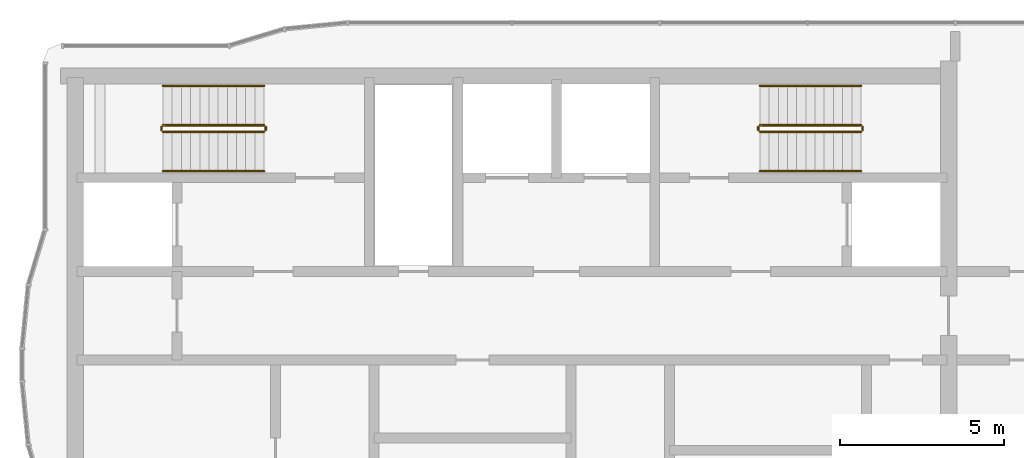
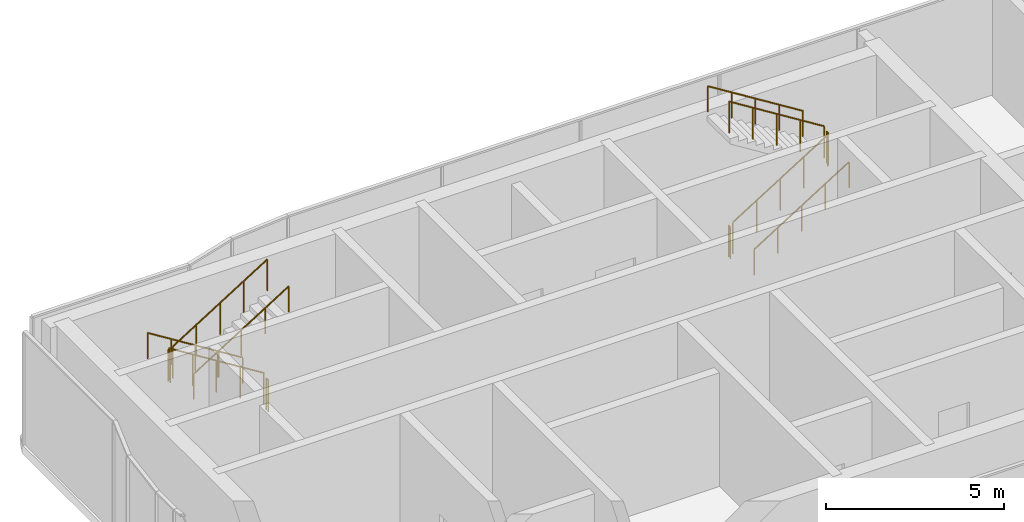
# One storey, part 14 of 14: 12 railings.
"""IFC4 building model written with IfcOpenShell, lengths in metres."""

from ifc_helpers import new_model, si_unit, direction, frame, origin, origin_2d, place, context, subcontext, project, spatial, circle, extrude, material, type_object, element, save


model = new_model("IFC4")

# Units and contexts
model_context = context("Model", 3, precision=1e-05, world=origin(), true_north=direction((0.0, 1.0)))
body_context = subcontext(model_context, "Body", "Model", "MODEL_VIEW")
ifc_project = project(units=[si_unit("LENGTHUNIT", "METRE"), si_unit("AREAUNIT", "SQUARE_METRE"), si_unit("VOLUMEUNIT", "CUBIC_METRE"), si_unit("PLANEANGLEUNIT", "RADIAN"), si_unit("MASSUNIT", "GRAM", prefix="KILO")], contexts=[model_context])

# Site, building, storey
site_placement = place(None, origin())
site = spatial("IfcSite", under=ifc_project, at=site_placement, CompositionType="ELEMENT")
building_placement = place(site_placement, origin())
building = spatial("IfcBuilding", under=site, at=building_placement, Name="Ogive Portal Towers", CompositionType="ELEMENT")
storey_placement = place(building_placement, frame((0.0, 0.0, 277.10009765625)))
storey = spatial("IfcBuildingStorey", under=building, at=storey_placement, Name="L67", CompositionType="ELEMENT", Elevation=277.10009765625)

# Railings
ifc_material_1 = material(Name="Stainless steel balustrade", Category="steel")
railing_type_1 = type_object("IfcRailingType", Name="INT-GUARD", PredefinedType="GUARDRAIL", material=ifc_material_1)
railing_1_placement = place(storey_placement, frame((37.449951171875, 37.800048828125, 0.1748046875)))
element("IfcRailing", 1, at=railing_1_placement, inside=storey, type_object=railing_type_1, Name="L67 ST-A1 stair guard 1", PredefinedType="GUARDRAIL", context=body_context, shape_type="SweptSolid", body=[
    extrude(circle(Radius=0.02392578125, at=origin_2d()), frame((0.0, 0.0, 1.076171875), z_axis=(-0.847979421464, 0.0, 0.530029150871), x_axis=(0.0, -1.0, 0.0)), (0.0, 0.0, 1.0), 3.632080078125),
    extrude(circle(Radius=0.02099609375, at=origin_2d()), origin(), (0.0, 0.0, 1.0), 1.052001953125),
    extrude(circle(Radius=0.02099609375, at=origin_2d()), frame((-0.77001953125, 0.0, 0.481201171875)), (0.0, 0.0, 1.0), 1.052001953125),
    extrude(circle(Radius=0.02099609375, at=origin_2d()), frame((-1.5400390625, 0.0, 0.96240234375)), (0.0, 0.0, 1.0), 1.052001953125),
    extrude(circle(Radius=0.02099609375, at=origin_2d()), frame((-2.309814453125, 0.0, 1.44384765625)), (0.0, 0.0, 1.0), 1.052001953125),
    extrude(circle(Radius=0.02099609375, at=origin_2d()), frame((-3.079833984375, 0.0, 1.925048828125)), (0.0, 0.0, 1.0), 1.052001953125),
])
railing_2_placement = place(storey_placement, frame((34.320068359375, 37.75, 2.099853515625)))
element("IfcRailing", 2, at=railing_2_placement, inside=storey, type_object=railing_type_1, Name="L67 ST-A1 stair guard 2", PredefinedType="GUARDRAIL", context=body_context, shape_type="SweptSolid", body=[
    extrude(circle(Radius=0.02392578125, at=origin_2d()), frame((0.0, 0.0, 1.076171875), z_axis=(0.0, -1.0, 0.0), x_axis=(1.0, 0.0, 0.0)), (0.0, 0.0, 1.0), 0.10009765625),
    extrude(circle(Radius=0.02099609375, at=origin_2d()), origin(), (0.0, 0.0, 1.0), 1.052001953125),
    extrude(circle(Radius=0.02099609375, at=origin_2d()), frame((0.0, -0.10009765625, 0.0)), (0.0, 0.0, 1.0), 1.052001953125),
])
railing_3_placement = place(storey_placement, frame((34.3701171875, 37.60009765625, 2.27490234375)))
element("IfcRailing", 3, at=railing_3_placement, inside=storey, type_object=railing_type_1, Name="L67 ST-A1 stair guard 3", PredefinedType="GUARDRAIL", context=body_context, shape_type="SweptSolid", body=[
    extrude(circle(Radius=0.02392578125, at=origin_2d()), frame((0.0, 0.0, 1.076171875), z_axis=(0.847979421464, 0.0, 0.530029150871), x_axis=(0.0, 1.0, 0.0)), (0.0, 0.0, 1.0), 3.632080078125),
    extrude(circle(Radius=0.02099609375, at=origin_2d()), origin(), (0.0, 0.0, 1.0), 1.052001953125),
    extrude(circle(Radius=0.02099609375, at=origin_2d()), frame((0.77001953125, 0.0, 0.481201171875)), (0.0, 0.0, 1.0), 1.052001953125),
    extrude(circle(Radius=0.02099609375, at=origin_2d()), frame((1.5400390625, 0.0, 0.96240234375)), (0.0, 0.0, 1.0), 1.052001953125),
    extrude(circle(Radius=0.02099609375, at=origin_2d()), frame((2.309814453125, 0.0, 1.44384765625)), (0.0, 0.0, 1.0), 1.052001953125),
    extrude(circle(Radius=0.02099609375, at=origin_2d()), frame((3.079833984375, 0.0, 1.925048828125)), (0.0, 0.0, 1.0), 1.052001953125),
])
railing_4_placement = place(storey_placement, frame((37.5, 37.75, 0.0)))
element("IfcRailing", 4, at=railing_4_placement, inside=storey, type_object=railing_type_1, Name="L67 ST-A1 stair guard 4", PredefinedType="GUARDRAIL", context=body_context, shape_type="SweptSolid", body=[
    extrude(circle(Radius=0.02392578125, at=origin_2d()), frame((0.0, 0.0, 1.076171875), z_axis=(0.0, -1.0, 0.0), x_axis=(1.0, 0.0, 0.0)), (0.0, 0.0, 1.0), 0.10009765625),
    extrude(circle(Radius=0.02099609375, at=origin_2d()), origin(), (0.0, 0.0, 1.0), 1.052001953125),
    extrude(circle(Radius=0.02099609375, at=origin_2d()), frame((0.0, -0.10009765625, 0.0)), (0.0, 0.0, 1.0), 1.052001953125),
])
railing_5_placement = place(storey_placement, frame((52.550048828125, 37.60009765625, 0.1748046875)))
element("IfcRailing", 5, at=railing_5_placement, inside=storey, type_object=railing_type_1, Name="L67 ST-A2 stair guard 1", PredefinedType="GUARDRAIL", context=body_context, shape_type="SweptSolid", body=[
    extrude(circle(Radius=0.02392578125, at=origin_2d()), frame((0.0, 0.0, 1.076171875), z_axis=(0.847979421464, 0.0, 0.530029150871), x_axis=(0.0, 1.0, 0.0)), (0.0, 0.0, 1.0), 3.632080078125),
    extrude(circle(Radius=0.02099609375, at=origin_2d()), origin(), (0.0, 0.0, 1.0), 1.052001953125),
    extrude(circle(Radius=0.02099609375, at=origin_2d()), frame((0.77001953125, 0.0, 0.481201171875)), (0.0, 0.0, 1.0), 1.052001953125),
    extrude(circle(Radius=0.02099609375, at=origin_2d()), frame((1.5400390625, 0.0, 0.96240234375)), (0.0, 0.0, 1.0), 1.052001953125),
    extrude(circle(Radius=0.02099609375, at=origin_2d()), frame((2.309814453125, 0.0, 1.44384765625)), (0.0, 0.0, 1.0), 1.052001953125),
    extrude(circle(Radius=0.02099609375, at=origin_2d()), frame((3.079833984375, 0.0, 1.925048828125)), (0.0, 0.0, 1.0), 1.052001953125),
])
railing_6_placement = place(storey_placement, frame((55.679931640625, 37.64990234375, 2.099853515625)))
element("IfcRailing", 6, at=railing_6_placement, inside=storey, type_object=railing_type_1, Name="L67 ST-A2 stair guard 2", PredefinedType="GUARDRAIL", context=body_context, shape_type="SweptSolid", body=[
    extrude(circle(Radius=0.02392578125, at=origin_2d()), frame((0.0, 0.0, 1.076171875), z_axis=(0.0, 1.0, 0.0), x_axis=(-1.0, 0.0, 0.0)), (0.0, 0.0, 1.0), 0.10009765625),
    extrude(circle(Radius=0.02099609375, at=origin_2d()), origin(), (0.0, 0.0, 1.0), 1.052001953125),
    extrude(circle(Radius=0.02099609375, at=origin_2d()), frame((0.0, 0.10009765625, 0.0)), (0.0, 0.0, 1.0), 1.052001953125),
])
railing_7_placement = place(storey_placement, frame((55.6298828125, 37.800048828125, 2.27490234375)))
element("IfcRailing", 7, at=railing_7_placement, inside=storey, type_object=railing_type_1, Name="L67 ST-A2 stair guard 3", PredefinedType="GUARDRAIL", context=body_context, shape_type="SweptSolid", body=[
    extrude(circle(Radius=0.02392578125, at=origin_2d()), frame((0.0, 0.0, 1.076171875), z_axis=(-0.847979421464, 0.0, 0.530029150871), x_axis=(0.0, -1.0, 0.0)), (0.0, 0.0, 1.0), 3.632080078125),
    extrude(circle(Radius=0.02099609375, at=origin_2d()), origin(), (0.0, 0.0, 1.0), 1.052001953125),
    extrude(circle(Radius=0.02099609375, at=origin_2d()), frame((-0.77001953125, 0.0, 0.481201171875)), (0.0, 0.0, 1.0), 1.052001953125),
    extrude(circle(Radius=0.02099609375, at=origin_2d()), frame((-1.5400390625, 0.0, 0.96240234375)), (0.0, 0.0, 1.0), 1.052001953125),
    extrude(circle(Radius=0.02099609375, at=origin_2d()), frame((-2.309814453125, 0.0, 1.44384765625)), (0.0, 0.0, 1.0), 1.052001953125),
    extrude(circle(Radius=0.02099609375, at=origin_2d()), frame((-3.079833984375, 0.0, 1.925048828125)), (0.0, 0.0, 1.0), 1.052001953125),
])
railing_8_placement = place(storey_placement, frame((52.5, 37.64990234375, 0.0)))
element("IfcRailing", 8, at=railing_8_placement, inside=storey, type_object=railing_type_1, Name="L67 ST-A2 stair guard 4", PredefinedType="GUARDRAIL", context=body_context, shape_type="SweptSolid", body=[
    extrude(circle(Radius=0.02392578125, at=origin_2d()), frame((0.0, 0.0, 1.076171875), z_axis=(0.0, 1.0, 0.0), x_axis=(-1.0, 0.0, 0.0)), (0.0, 0.0, 1.0), 0.10009765625),
    extrude(circle(Radius=0.02099609375, at=origin_2d()), origin(), (0.0, 0.0, 1.0), 1.052001953125),
    extrude(circle(Radius=0.02099609375, at=origin_2d()), frame((0.0, 0.10009765625, 0.0)), (0.0, 0.0, 1.0), 1.052001953125),
])
ifc_material_2 = material(Name="Stainless steel handrail", Category="steel")
railing_type_2 = type_object("IfcRailingType", Name="INT-HANDRAIL", PredefinedType="HANDRAIL", material=ifc_material_2)
railing_9_placement = place(storey_placement, frame((37.449951171875, 39.0, 0.1748046875)))
element("IfcRailing", 9, at=railing_9_placement, inside=storey, type_object=railing_type_2, Name="L67 ST-A1 stair handrail 1", PredefinedType="HANDRAIL", context=body_context, shape_type="SweptSolid", body=[
    extrude(circle(Radius=0.02392578125, at=origin_2d()), frame((0.0, 0.0, 0.8759765625), z_axis=(-0.847979421464, 0.0, 0.530029150871), x_axis=(0.0, -1.0, 0.0)), (0.0, 0.0, 1.0), 3.632080078125),
    extrude(circle(Radius=0.02099609375, at=origin_2d()), origin(), (0.0, 0.0, 1.0), 0.851806640625),
    extrude(circle(Radius=0.02099609375, at=origin_2d()), frame((-0.77001953125, 0.0, 0.481201171875)), (0.0, 0.0, 1.0), 0.851806640625),
    extrude(circle(Radius=0.02099609375, at=origin_2d()), frame((-1.5400390625, 0.0, 0.96240234375)), (0.0, 0.0, 1.0), 0.851806640625),
    extrude(circle(Radius=0.02099609375, at=origin_2d()), frame((-2.309814453125, 0.0, 1.44384765625)), (0.0, 0.0, 1.0), 0.851806640625),
    extrude(circle(Radius=0.02099609375, at=origin_2d()), frame((-3.079833984375, 0.0, 1.925048828125)), (0.0, 0.0, 1.0), 0.851806640625),
])
for number, where, name in (
    (10, (34.3701171875, 36.39990234375, 2.27490234375), "L67 ST-A1 stair handrail 2"),
    (11, (52.550048828125, 36.39990234375, 0.1748046875), "L67 ST-A2 stair handrail 1"),
):
    element("IfcRailing", number, at=place(storey_placement, frame(where)), inside=storey, type_object=railing_type_2, Name=name, PredefinedType="HANDRAIL", context=body_context, shape_type="SweptSolid", body=[
        extrude(circle(Radius=0.02392578125, at=origin_2d()), frame((0.0, 0.0, 0.8759765625), z_axis=(0.847979421464, 0.0, 0.530029150871), x_axis=(0.0, 1.0, 0.0)), (0.0, 0.0, 1.0), 3.632080078125),
        extrude(circle(Radius=0.02099609375, at=origin_2d()), origin(), (0.0, 0.0, 1.0), 0.851806640625),
        extrude(circle(Radius=0.02099609375, at=origin_2d()), frame((0.77001953125, 0.0, 0.481201171875)), (0.0, 0.0, 1.0), 0.851806640625),
        extrude(circle(Radius=0.02099609375, at=origin_2d()), frame((1.5400390625, 0.0, 0.96240234375)), (0.0, 0.0, 1.0), 0.851806640625),
        extrude(circle(Radius=0.02099609375, at=origin_2d()), frame((2.309814453125, 0.0, 1.44384765625)), (0.0, 0.0, 1.0), 0.851806640625),
        extrude(circle(Radius=0.02099609375, at=origin_2d()), frame((3.079833984375, 0.0, 1.925048828125)), (0.0, 0.0, 1.0), 0.851806640625),
    ])
railing_10_placement = place(storey_placement, frame((55.6298828125, 39.0, 2.27490234375)))
element("IfcRailing", 12, at=railing_10_placement, inside=storey, type_object=railing_type_2, Name="L67 ST-A2 stair handrail 2", PredefinedType="HANDRAIL", context=body_context, shape_type="SweptSolid", body=[
    extrude(circle(Radius=0.02392578125, at=origin_2d()), frame((0.0, 0.0, 0.8759765625), z_axis=(-0.847979421464, 0.0, 0.530029150871), x_axis=(0.0, -1.0, 0.0)), (0.0, 0.0, 1.0), 3.632080078125),
    extrude(circle(Radius=0.02099609375, at=origin_2d()), origin(), (0.0, 0.0, 1.0), 0.851806640625),
    extrude(circle(Radius=0.02099609375, at=origin_2d()), frame((-0.77001953125, 0.0, 0.481201171875)), (0.0, 0.0, 1.0), 0.851806640625),
    extrude(circle(Radius=0.02099609375, at=origin_2d()), frame((-1.5400390625, 0.0, 0.96240234375)), (0.0, 0.0, 1.0), 0.851806640625),
    extrude(circle(Radius=0.02099609375, at=origin_2d()), frame((-2.309814453125, 0.0, 1.44384765625)), (0.0, 0.0, 1.0), 0.851806640625),
    extrude(circle(Radius=0.02099609375, at=origin_2d()), frame((-3.079833984375, 0.0, 1.925048828125)), (0.0, 0.0, 1.0), 0.851806640625),
])

save(model, "model.ifc")
